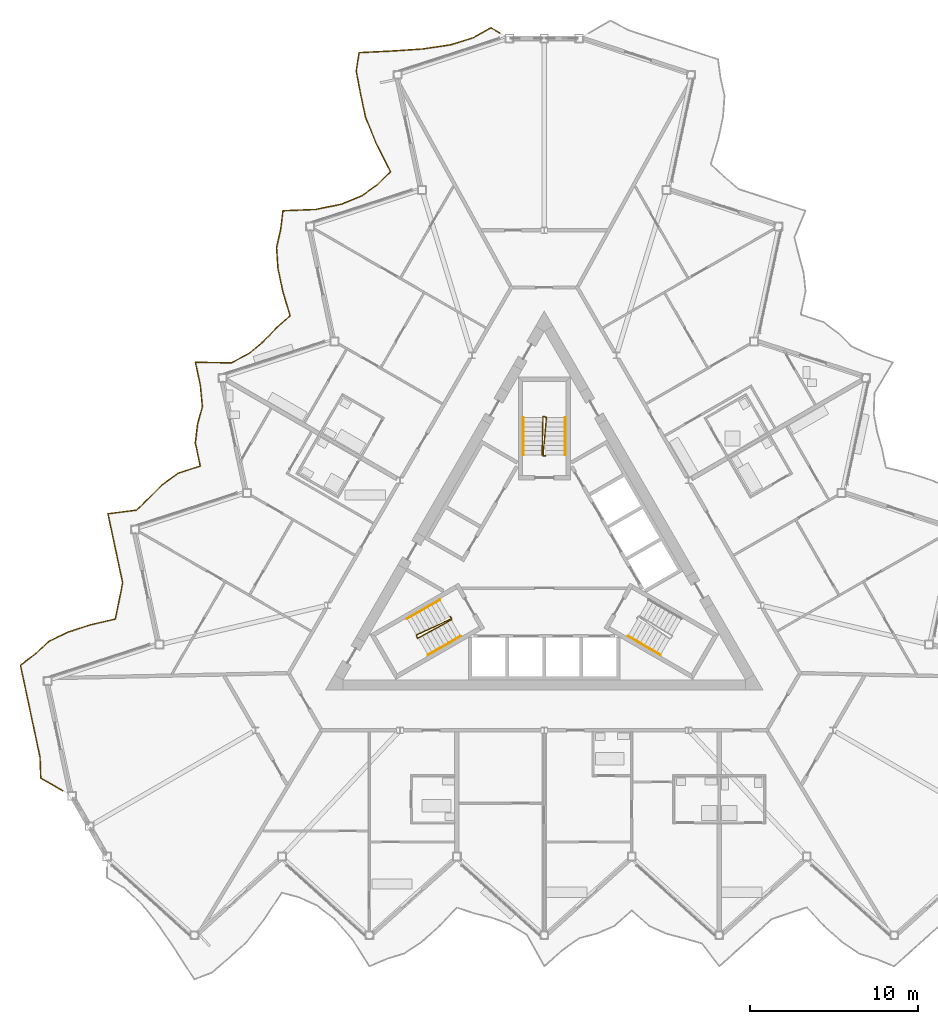
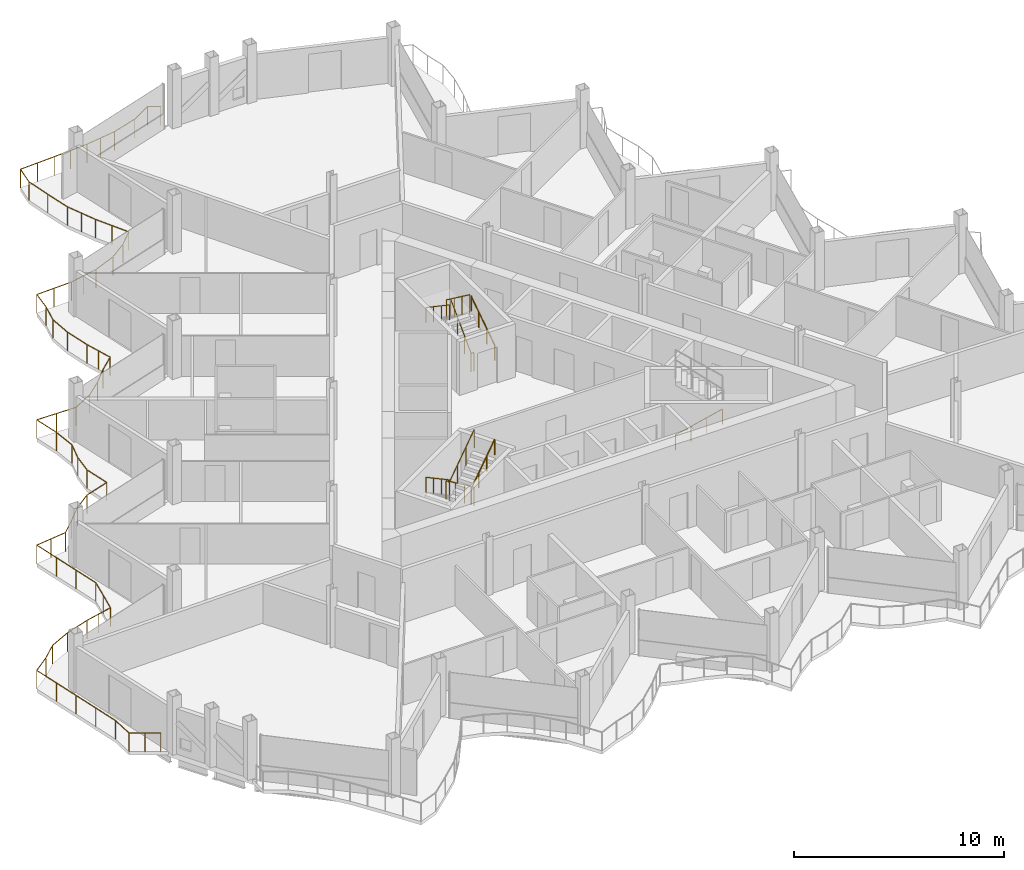
# One storey, part 22 of 25: 8 railings.
"""IFC4 building model written with IfcOpenShell, lengths in metres."""

from ifc_helpers import new_model, si_unit, direction, frame, origin, origin_2d, place, context, subcontext, project, spatial, circle, extrude, material, type_object, element, save


model = new_model("IFC4")

# Units and contexts
model_context = context("Model", 3, precision=1e-05, world=origin(), true_north=direction((0.0, 1.0)))
body_context = subcontext(model_context, "Body", "Model", "MODEL_VIEW")
ifc_project = project(units=[si_unit("LENGTHUNIT", "METRE"), si_unit("AREAUNIT", "SQUARE_METRE"), si_unit("VOLUMEUNIT", "CUBIC_METRE"), si_unit("PLANEANGLEUNIT", "RADIAN"), si_unit("MASSUNIT", "GRAM", prefix="KILO")], contexts=[model_context])

# Site, building, storey
site_placement = place(None, origin())
site = spatial("IfcSite", under=ifc_project, at=site_placement, CompositionType="ELEMENT")
building_placement = place(site_placement, origin())
building = spatial("IfcBuilding", under=site, at=building_placement, Name="Cormorant Prow Tower", CompositionType="ELEMENT")
storey_placement = place(building_placement, frame((0.0, 0.0, 391.60009765625)))
storey = spatial("IfcBuildingStorey", under=building, at=storey_placement, Name="L89", CompositionType="ELEMENT", Elevation=391.60009765625)

# Railings
ifc_material_1 = material(Name="Aluminium 6063-T6", Category="aluminium")
railing_type_1 = type_object("IfcRailingType", Name="Balcony guard 1100", PredefinedType="GUARDRAIL", material=ifc_material_1)
railing_1_placement = place(storey_placement, frame((-2.627197265625, 31.5390625, 0.0)))
element("IfcRailing", 1, at=railing_1_placement, inside=storey, type_object=railing_type_1, Name="Balcony guard WNW", PredefinedType="GUARDRAIL", context=body_context, shape_type="SweptSolid", body=[
    extrude(circle(Radius=0.02392578125, at=origin_2d()), frame((0.0, 0.0, 1.076171875), z_axis=(-0.865942655036, 0.500143297656, 0.0), x_axis=(-0.500143297656, -0.865942655036, 0.0)), (0.0, 0.0, 1.0), 0.635986328125),
    extrude(circle(Radius=0.02392578125, at=origin_2d()), frame((-0.55078125, 0.318115234375, 1.076171875), z_axis=(-0.867580618744, -0.497296561399, 0.0), x_axis=(0.497296561399, -0.867580618744, 0.0)), (0.0, 0.0, 1.0), 1.203369140625),
    extrude(circle(Radius=0.02392578125, at=origin_2d()), frame((-1.5947265625, -0.2802734375, 1.076171875), z_axis=(-0.955252285549, -0.295792276697, 0.0), x_axis=(0.295792276697, -0.955252285549, 0.0)), (0.0, 0.0, 1.0), 1.417236328125),
    extrude(circle(Radius=0.02392578125, at=origin_2d()), frame((-2.948486328125, -0.699462890625, 1.076171875), z_axis=(-0.989322080708, -0.145745739645, 0.0), x_axis=(0.145745739645, -0.989322080708, 0.0)), (0.0, 0.0, 1.0), 1.675048828125),
    extrude(circle(Radius=0.02392578125, at=origin_2d()), frame((-4.605712890625, -0.943603515625, 1.076171875), z_axis=(-0.997777056022, -0.066640426738, 0.0), x_axis=(0.066640426738, -0.997777056022, 0.0)), (0.0, 0.0, 1.0), 1.868408203125),
    extrude(circle(Radius=0.02392578125, at=origin_2d()), frame((-6.469970703125, -1.068115234375, 1.076171875), z_axis=(-0.998752974006, -0.049924912753, 0.0), x_axis=(0.049924912753, -0.998752974006, 0.0)), (0.0, 0.0, 1.0), 1.9169921875),
    extrude(circle(Radius=0.02392578125, at=origin_2d()), frame((-8.384521484375, -1.163818359375, 1.076171875), z_axis=(-0.153027715163, -0.988221897345, 0.0), x_axis=(0.988221897345, -0.153027715163, 0.0)), (0.0, 0.0, 1.0), 1.115234375),
    extrude(circle(Radius=0.02392578125, at=origin_2d()), frame((-8.55517578125, -2.265869140625, 1.076171875), z_axis=(0.186842519377, -0.982389878283, 0.0), x_axis=(0.982389878283, 0.186842519377, 0.0)), (0.0, 0.0, 1.0), 1.373291015625),
    extrude(circle(Radius=0.02392578125, at=origin_2d()), frame((-8.298583984375, -3.614990234375, 1.076171875), z_axis=(0.20777738218, -0.978176139279, 0.0), x_axis=(0.978176139279, 0.20777738218, 0.0)), (0.0, 0.0, 1.0), 1.3994140625),
    extrude(circle(Radius=0.02392578125, at=origin_2d()), frame((-8.0078125, -4.98388671875, 1.076171875), z_axis=(0.374701964674, -0.927145316371, 0.0), x_axis=(0.927145316371, 0.374701964674, 0.0)), (0.0, 0.0, 1.0), 1.689453125),
    extrude(circle(Radius=0.02392578125, at=origin_2d()), frame((-7.374755859375, -6.55029296875, 1.076171875), z_axis=(0.45075854603, -0.892645917025, 0.0), x_axis=(0.892645917025, 0.45075854603, 0.0)), (0.0, 0.0, 1.0), 1.89892578125),
    extrude(circle(Radius=0.02392578125, at=origin_2d()), frame((-6.518798828125, -8.245361328125, 1.076171875), z_axis=(-0.70993268752, -0.704269535896, 0.0), x_axis=(0.704269535896, -0.70993268752, 0.0)), (0.0, 0.0, 1.0), 1.077880859375),
    extrude(circle(Radius=0.02392578125, at=origin_2d()), frame((-7.283935546875, -9.00439453125, 1.076171875), z_axis=(-0.814468690865, -0.580207507363, 0.0), x_axis=(0.580207507363, -0.814468690865, 0.0)), (0.0, 0.0, 1.0), 1.143310546875),
    extrude(circle(Radius=0.02392578125, at=origin_2d()), frame((-8.215087890625, -9.667724609375, 1.076171875), z_axis=(-0.924870445387, -0.380282341491, 0.0), x_axis=(0.380282341491, -0.924870445387, 0.0)), (0.0, 0.0, 1.0), 1.3134765625),
    extrude(circle(Radius=0.02392578125, at=origin_2d()), frame((-9.429931640625, -10.167236328125, 1.076171875), z_axis=(-0.979411705303, -0.201873008388, 0.0), x_axis=(0.201873008388, -0.979411705303, 0.0)), (0.0, 0.0, 1.0), 1.56494140625),
    extrude(circle(Radius=0.02392578125, at=origin_2d()), frame((-10.962646484375, -10.483154296875, 1.076171875), z_axis=(-0.999241818461, -0.038933125224, 0.0), x_axis=(0.038933125224, -0.999241818461, 0.0)), (0.0, 0.0, 1.0), 1.9501953125),
    extrude(circle(Radius=0.02392578125, at=origin_2d()), frame((-12.911376953125, -10.55908203125, 1.076171875), z_axis=(-0.118932433639, -0.992902349795, 0.0), x_axis=(0.992902349795, -0.118932433639, 0.0)), (0.0, 0.0, 1.0), 1.131103515625),
    extrude(circle(Radius=0.02392578125, at=origin_2d()), frame((-13.0458984375, -11.68212890625, 1.076171875), z_axis=(-0.223695904848, -0.974658987623, 0.0), x_axis=(0.974658987623, -0.223695904848, 0.0)), (0.0, 0.0, 1.0), 1.088134765625),
    extrude(circle(Radius=0.02392578125, at=origin_2d()), frame((-13.289306640625, -12.74267578125, 1.076171875), z_axis=(0.065210154298, -0.997871552744, 0.0), x_axis=(0.997871552744, 0.065210154298, 0.0)), (0.0, 0.0, 1.0), 1.25048828125),
    extrude(circle(Radius=0.02392578125, at=origin_2d()), frame((-13.207763671875, -13.990478515625, 1.076171875), z_axis=(0.207944297815, -0.978140669335, 0.0), x_axis=(0.978140669335, 0.207944297815, 0.0)), (0.0, 0.0, 1.0), 1.3994140625),
    extrude(circle(Radius=0.02392578125, at=origin_2d()), frame((-12.916748046875, -15.359375, 1.076171875), z_axis=(0.285274769727, -0.958445776117, 0.0), x_axis=(0.958445776117, 0.285274769727, 0.0)), (0.0, 0.0, 1.0), 1.51318359375),
    extrude(circle(Radius=0.02392578125, at=origin_2d()), frame((-12.485107421875, -16.8095703125, 1.076171875), z_axis=(-0.747851627765, -0.66386590728, 0.0), x_axis=(0.66386590728, -0.747851627765, 0.0)), (0.0, 0.0, 1.0), 1.095947265625),
    extrude(circle(Radius=0.02392578125, at=origin_2d()), frame((-13.3046875, -17.537109375, 1.076171875), z_axis=(-0.694118707178, -0.719860556181, 0.0), x_axis=(0.719860556181, -0.694118707178, 0.0)), (0.0, 0.0, 1.0), 1.07177734375),
    extrude(circle(Radius=0.02392578125, at=origin_2d()), frame((-14.048583984375, -18.30859375, 1.076171875), z_axis=(-0.761748334481, -0.647873039195, 0.0), x_axis=(0.647873039195, -0.761748334481, 0.0)), (0.0, 0.0, 1.0), 1.10400390625),
    extrude(circle(Radius=0.02392578125, at=origin_2d()), frame((-14.8896484375, -19.02392578125, 1.076171875), z_axis=(-0.882788053119, -0.469771490482, 0.0), x_axis=(0.469771490482, -0.882788053119, 0.0)), (0.0, 0.0, 1.0), 1.22607421875),
    extrude(circle(Radius=0.02392578125, at=origin_2d()), frame((-15.971923828125, -19.599853515625, 1.076171875), z_axis=(-0.999872403922, 0.015974225328, 0.0), x_axis=(-0.015974225328, -0.999872403922, 0.0)), (0.0, 0.0, 1.0), 2.1396484375),
    extrude(circle(Radius=0.02392578125, at=origin_2d()), frame((-18.111328125, -19.565673828125, 1.076171875), z_axis=(0.207944297815, -0.978140669335, 0.0), x_axis=(0.978140669335, 0.207944297815, 0.0)), (0.0, 0.0, 1.0), 1.3994140625),
    extrude(circle(Radius=0.02392578125, at=origin_2d()), frame((-17.8203125, -20.9345703125, 1.076171875), z_axis=(0.095566726769, -0.995423026022, 0.0), x_axis=(0.995423026022, 0.095566726769, 0.0)), (0.0, 0.0, 1.0), 1.27734375),
    extrude(circle(Radius=0.02392578125, at=origin_2d()), frame((-17.6982421875, -22.2060546875, 1.076171875), z_axis=(-0.265827069275, -0.964020730711, 0.0), x_axis=(0.964020730711, -0.265827069275, 0.0)), (0.0, 0.0, 1.0), 1.074462890625),
    extrude(circle(Radius=0.02392578125, at=origin_2d()), frame((-17.98388671875, -23.241943359375, 1.076171875), z_axis=(-0.11731670718, -0.993094552506, 0.0), x_axis=(0.993094552506, -0.11731670718, 0.0)), (0.0, 0.0, 1.0), 1.132080078125),
    extrude(circle(Radius=0.02392578125, at=origin_2d()), frame((-18.11669921875, -24.3662109375, 1.076171875), z_axis=(0.207979786632, -0.978133124044, 0.0), x_axis=(0.978133124044, 0.207979786632, 0.0)), (0.0, 0.0, 1.0), 1.399169921875),
    extrude(circle(Radius=0.02392578125, at=origin_2d()), frame((-17.82568359375, -25.73486328125, 1.076171875), z_axis=(-0.951028941009, -0.309101849499, 0.0), x_axis=(0.309101849499, -0.951028941009, 0.0)), (0.0, 0.0, 1.0), 1.399658203125),
    extrude(circle(Radius=0.02392578125, at=origin_2d()), frame((-19.15673828125, -26.16748046875, 1.076171875), z_axis=(-0.8082904718, -0.588783927428, 0.0), x_axis=(0.588783927428, -0.8082904718, 0.0)), (0.0, 0.0, 1.0), 1.1376953125),
    extrude(circle(Radius=0.02392578125, at=origin_2d()), frame((-20.076416015625, -26.83740234375, 1.076171875), z_axis=(-0.702777909554, -0.711409312451, 0.0), x_axis=(0.711409312451, -0.702777909554, 0.0)), (0.0, 0.0, 1.0), 1.074951171875),
    extrude(circle(Radius=0.02392578125, at=origin_2d()), frame((-20.831787109375, -27.60205078125, 1.076171875), z_axis=(-0.719518081238, -0.694473707761, 0.0), x_axis=(0.694473707761, -0.719518081238, 0.0)), (0.0, 0.0, 1.0), 1.08203125),
    extrude(circle(Radius=0.02392578125, at=origin_2d()), frame((-21.6103515625, -28.353515625, 1.076171875), z_axis=(-0.991833717646, -0.127537745553, 0.0), x_axis=(0.127537745553, -0.991833717646, 0.0)), (0.0, 0.0, 1.0), 1.715087890625),
    extrude(circle(Radius=0.02392578125, at=origin_2d()), frame((-23.3115234375, -28.572265625, 1.076171875), z_axis=(0.207944297815, -0.978140669335, 0.0), x_axis=(0.978140669335, 0.207944297815, 0.0)), (0.0, 0.0, 1.0), 1.3994140625),
    extrude(circle(Radius=0.02392578125, at=origin_2d()), frame((-23.0205078125, -29.941162109375, 1.076171875), z_axis=(0.207944297815, -0.978140669335, 0.0), x_axis=(0.978140669335, 0.207944297815, 0.0)), (0.0, 0.0, 1.0), 1.3994140625),
    extrude(circle(Radius=0.02392578125, at=origin_2d()), frame((-22.7294921875, -31.31005859375, 1.076171875), z_axis=(0.207944297815, -0.978140669335, 0.0), x_axis=(0.978140669335, 0.207944297815, 0.0)), (0.0, 0.0, 1.0), 1.3994140625),
    extrude(circle(Radius=0.02392578125, at=origin_2d()), frame((-22.4384765625, -32.678955078125, 1.076171875), z_axis=(-0.193723064717, -0.981056254349, 0.0), x_axis=(0.981056254349, -0.193723064717, 0.0)), (0.0, 0.0, 1.0), 1.098876953125),
    extrude(circle(Radius=0.02392578125, at=origin_2d()), frame((-22.6513671875, -33.757080078125, 1.076171875), z_axis=(-0.204559970055, -0.978854033373, 0.0), x_axis=(0.978854033373, -0.204559970055, 0.0)), (0.0, 0.0, 1.0), 1.094482421875),
    extrude(circle(Radius=0.02392578125, at=origin_2d()), frame((-22.875244140625, -34.828369140625, 1.076171875), z_axis=(-0.973836474396, -0.227249908989, 0.0), x_axis=(0.227249908989, -0.973836474396, 0.0)), (0.0, 0.0, 1.0), 1.521240234375),
    extrude(circle(Radius=0.02392578125, at=origin_2d()), frame((-24.356689453125, -35.174072265625, 1.076171875), z_axis=(-0.951080208938, -0.308944066403, 0.0), x_axis=(0.308944066403, -0.951080208938, 0.0)), (0.0, 0.0, 1.0), 1.3994140625),
    extrude(circle(Radius=0.02392578125, at=origin_2d()), frame((-25.687744140625, -35.6064453125, 1.076171875), z_axis=(-0.900289356224, -0.435291942345, 0.0), x_axis=(0.435291942345, -0.900289356224, 0.0)), (0.0, 0.0, 1.0), 1.257568359375),
    extrude(circle(Radius=0.02392578125, at=origin_2d()), frame((-26.81982421875, -36.15380859375, 1.076171875), z_axis=(-0.734356392461, -0.678764089247, 0.0), x_axis=(0.678764089247, -0.734356392461, 0.0)), (0.0, 0.0, 1.0), 1.089111328125),
    extrude(circle(Radius=0.02392578125, at=origin_2d()), frame((-27.61962890625, -36.89306640625, 1.076171875), z_axis=(-0.792728850952, -0.609574416185, 0.0), x_axis=(0.609574416185, -0.792728850952, 0.0)), (0.0, 0.0, 1.0), 1.125),
    extrude(circle(Radius=0.02392578125, at=origin_2d()), frame((-28.511474609375, -37.578857421875, 1.076171875), z_axis=(0.207944297815, -0.978140669335, 0.0), x_axis=(0.978140669335, 0.207944297815, 0.0)), (0.0, 0.0, 1.0), 1.3994140625),
    extrude(circle(Radius=0.02392578125, at=origin_2d()), frame((-28.220458984375, -38.94775390625, 1.076171875), z_axis=(0.207944297815, -0.978140669335, 0.0), x_axis=(0.978140669335, 0.207944297815, 0.0)), (0.0, 0.0, 1.0), 1.3994140625),
    extrude(circle(Radius=0.02392578125, at=origin_2d()), frame((-27.929443359375, -40.316650390625, 1.076171875), z_axis=(0.207944297815, -0.978140669335, 0.0), x_axis=(0.978140669335, 0.207944297815, 0.0)), (0.0, 0.0, 1.0), 1.3994140625),
    extrude(circle(Radius=0.02392578125, at=origin_2d()), frame((-27.638427734375, -41.685546875, 1.076171875), z_axis=(0.20777738218, -0.978176139279, 0.0), x_axis=(0.978176139279, 0.20777738218, 0.0)), (0.0, 0.0, 1.0), 1.3994140625),
    extrude(circle(Radius=0.02392578125, at=origin_2d()), frame((-27.34765625, -43.054443359375, 1.076171875), z_axis=(0.034839394762, -0.999392924016, 0.0), x_axis=(0.999392924016, 0.034839394762, 0.0)), (0.0, 0.0, 1.0), 1.226318359375),
    extrude(circle(Radius=0.02392578125, at=origin_2d()), frame((-27.304931640625, -44.280029296875, 1.076171875), z_axis=(0.866020997002, -0.500007632694, 0.0), x_axis=(0.500007632694, 0.866020997002, 0.0)), (0.0, 0.0, 1.0), 1.5068359375),
    extrude(circle(Radius=0.02099609375, at=origin_2d()), origin(), (0.0, 0.0, 1.0), 1.052001953125),
    extrude(circle(Radius=0.02099609375, at=origin_2d()), frame((-0.55078125, 0.318115234375, 0.0)), (0.0, 0.0, 1.0), 1.052001953125),
    extrude(circle(Radius=0.02099609375, at=origin_2d()), frame((-1.5947265625, -0.2802734375, 0.0)), (0.0, 0.0, 1.0), 1.052001953125),
    extrude(circle(Radius=0.02099609375, at=origin_2d()), frame((-2.948486328125, -0.699462890625, 0.0)), (0.0, 0.0, 1.0), 1.052001953125),
    extrude(circle(Radius=0.02099609375, at=origin_2d()), frame((-3.777099609375, -0.821533203125, 0.0)), (0.0, 0.0, 1.0), 1.052001953125),
    extrude(circle(Radius=0.02099609375, at=origin_2d()), frame((-4.605712890625, -0.943603515625, 0.0)), (0.0, 0.0, 1.0), 1.052001953125),
    extrude(circle(Radius=0.02099609375, at=origin_2d()), frame((-5.537841796875, -1.005859375, 0.0)), (0.0, 0.0, 1.0), 1.052001953125),
    extrude(circle(Radius=0.02099609375, at=origin_2d()), frame((-6.469970703125, -1.068115234375, 0.0)), (0.0, 0.0, 1.0), 1.052001953125),
    extrude(circle(Radius=0.02099609375, at=origin_2d()), frame((-7.42724609375, -1.115966796875, 0.0)), (0.0, 0.0, 1.0), 1.052001953125),
    extrude(circle(Radius=0.02099609375, at=origin_2d()), frame((-8.384521484375, -1.163818359375, 0.0)), (0.0, 0.0, 1.0), 1.052001953125),
    extrude(circle(Radius=0.02099609375, at=origin_2d()), frame((-8.55517578125, -2.265869140625, 0.0)), (0.0, 0.0, 1.0), 1.052001953125),
    extrude(circle(Radius=0.02099609375, at=origin_2d()), frame((-8.298583984375, -3.614990234375, 0.0)), (0.0, 0.0, 1.0), 1.052001953125),
    extrude(circle(Radius=0.02099609375, at=origin_2d()), frame((-8.0078125, -4.98388671875, 0.0)), (0.0, 0.0, 1.0), 1.052001953125),
    extrude(circle(Radius=0.02099609375, at=origin_2d()), frame((-7.69140625, -5.76708984375, 0.0)), (0.0, 0.0, 1.0), 1.052001953125),
    extrude(circle(Radius=0.02099609375, at=origin_2d()), frame((-7.374755859375, -6.55029296875, 0.0)), (0.0, 0.0, 1.0), 1.052001953125),
    extrude(circle(Radius=0.02099609375, at=origin_2d()), frame((-6.94677734375, -7.39794921875, 0.0)), (0.0, 0.0, 1.0), 1.052001953125),
    extrude(circle(Radius=0.02099609375, at=origin_2d()), frame((-6.518798828125, -8.245361328125, 0.0)), (0.0, 0.0, 1.0), 1.052001953125),
    extrude(circle(Radius=0.02099609375, at=origin_2d()), frame((-7.283935546875, -9.00439453125, 0.0)), (0.0, 0.0, 1.0), 1.052001953125),
    extrude(circle(Radius=0.02099609375, at=origin_2d()), frame((-8.215087890625, -9.667724609375, 0.0)), (0.0, 0.0, 1.0), 1.052001953125),
    extrude(circle(Radius=0.02099609375, at=origin_2d()), frame((-9.429931640625, -10.167236328125, 0.0)), (0.0, 0.0, 1.0), 1.052001953125),
    extrude(circle(Radius=0.02099609375, at=origin_2d()), frame((-10.1962890625, -10.3251953125, 0.0)), (0.0, 0.0, 1.0), 1.052001953125),
    extrude(circle(Radius=0.02099609375, at=origin_2d()), frame((-10.962646484375, -10.483154296875, 0.0)), (0.0, 0.0, 1.0), 1.052001953125),
    extrude(circle(Radius=0.02099609375, at=origin_2d()), frame((-11.93701171875, -10.52099609375, 0.0)), (0.0, 0.0, 1.0), 1.052001953125),
    extrude(circle(Radius=0.02099609375, at=origin_2d()), frame((-12.911376953125, -10.55908203125, 0.0)), (0.0, 0.0, 1.0), 1.052001953125),
    extrude(circle(Radius=0.02099609375, at=origin_2d()), frame((-13.0458984375, -11.68212890625, 0.0)), (0.0, 0.0, 1.0), 1.052001953125),
    extrude(circle(Radius=0.02099609375, at=origin_2d()), frame((-13.289306640625, -12.74267578125, 0.0)), (0.0, 0.0, 1.0), 1.052001953125),
    extrude(circle(Radius=0.02099609375, at=origin_2d()), frame((-13.207763671875, -13.990478515625, 0.0)), (0.0, 0.0, 1.0), 1.052001953125),
    extrude(circle(Radius=0.02099609375, at=origin_2d()), frame((-12.916748046875, -15.359375, 0.0)), (0.0, 0.0, 1.0), 1.052001953125),
    extrude(circle(Radius=0.02099609375, at=origin_2d()), frame((-12.700927734375, -16.08447265625, 0.0)), (0.0, 0.0, 1.0), 1.052001953125),
    extrude(circle(Radius=0.02099609375, at=origin_2d()), frame((-12.485107421875, -16.8095703125, 0.0)), (0.0, 0.0, 1.0), 1.052001953125),
    extrude(circle(Radius=0.02099609375, at=origin_2d()), frame((-13.3046875, -17.537109375, 0.0)), (0.0, 0.0, 1.0), 1.052001953125),
    extrude(circle(Radius=0.02099609375, at=origin_2d()), frame((-14.048583984375, -18.30859375, 0.0)), (0.0, 0.0, 1.0), 1.052001953125),
    extrude(circle(Radius=0.02099609375, at=origin_2d()), frame((-14.8896484375, -19.02392578125, 0.0)), (0.0, 0.0, 1.0), 1.052001953125),
    extrude(circle(Radius=0.02099609375, at=origin_2d()), frame((-15.971923828125, -19.599853515625, 0.0)), (0.0, 0.0, 1.0), 1.052001953125),
    extrude(circle(Radius=0.02099609375, at=origin_2d()), frame((-17.04150390625, -19.582763671875, 0.0)), (0.0, 0.0, 1.0), 1.052001953125),
    extrude(circle(Radius=0.02099609375, at=origin_2d()), frame((-18.111328125, -19.565673828125, 0.0)), (0.0, 0.0, 1.0), 1.052001953125),
    extrude(circle(Radius=0.02099609375, at=origin_2d()), frame((-17.8203125, -20.9345703125, 0.0)), (0.0, 0.0, 1.0), 1.052001953125),
    extrude(circle(Radius=0.02099609375, at=origin_2d()), frame((-17.6982421875, -22.2060546875, 0.0)), (0.0, 0.0, 1.0), 1.052001953125),
    extrude(circle(Radius=0.02099609375, at=origin_2d()), frame((-17.98388671875, -23.241943359375, 0.0)), (0.0, 0.0, 1.0), 1.052001953125),
    extrude(circle(Radius=0.02099609375, at=origin_2d()), frame((-18.11669921875, -24.3662109375, 0.0)), (0.0, 0.0, 1.0), 1.052001953125),
    extrude(circle(Radius=0.02099609375, at=origin_2d()), frame((-17.82568359375, -25.73486328125, 0.0)), (0.0, 0.0, 1.0), 1.052001953125),
    extrude(circle(Radius=0.02099609375, at=origin_2d()), frame((-19.15673828125, -26.16748046875, 0.0)), (0.0, 0.0, 1.0), 1.052001953125),
    extrude(circle(Radius=0.02099609375, at=origin_2d()), frame((-20.076416015625, -26.83740234375, 0.0)), (0.0, 0.0, 1.0), 1.052001953125),
    extrude(circle(Radius=0.02099609375, at=origin_2d()), frame((-20.831787109375, -27.60205078125, 0.0)), (0.0, 0.0, 1.0), 1.052001953125),
    extrude(circle(Radius=0.02099609375, at=origin_2d()), frame((-21.6103515625, -28.353515625, 0.0)), (0.0, 0.0, 1.0), 1.052001953125),
    extrude(circle(Radius=0.02099609375, at=origin_2d()), frame((-22.4609375, -28.462890625, 0.0)), (0.0, 0.0, 1.0), 1.052001953125),
    extrude(circle(Radius=0.02099609375, at=origin_2d()), frame((-23.3115234375, -28.572265625, 0.0)), (0.0, 0.0, 1.0), 1.052001953125),
    extrude(circle(Radius=0.02099609375, at=origin_2d()), frame((-23.0205078125, -29.941162109375, 0.0)), (0.0, 0.0, 1.0), 1.052001953125),
    extrude(circle(Radius=0.02099609375, at=origin_2d()), frame((-22.7294921875, -31.31005859375, 0.0)), (0.0, 0.0, 1.0), 1.052001953125),
    extrude(circle(Radius=0.02099609375, at=origin_2d()), frame((-22.4384765625, -32.678955078125, 0.0)), (0.0, 0.0, 1.0), 1.052001953125),
    extrude(circle(Radius=0.02099609375, at=origin_2d()), frame((-22.6513671875, -33.757080078125, 0.0)), (0.0, 0.0, 1.0), 1.052001953125),
    extrude(circle(Radius=0.02099609375, at=origin_2d()), frame((-22.875244140625, -34.828369140625, 0.0)), (0.0, 0.0, 1.0), 1.052001953125),
    extrude(circle(Radius=0.02099609375, at=origin_2d()), frame((-23.615966796875, -35.001220703125, 0.0)), (0.0, 0.0, 1.0), 1.052001953125),
    extrude(circle(Radius=0.02099609375, at=origin_2d()), frame((-24.356689453125, -35.174072265625, 0.0)), (0.0, 0.0, 1.0), 1.052001953125),
    extrude(circle(Radius=0.02099609375, at=origin_2d()), frame((-25.687744140625, -35.6064453125, 0.0)), (0.0, 0.0, 1.0), 1.052001953125),
    extrude(circle(Radius=0.02099609375, at=origin_2d()), frame((-26.81982421875, -36.15380859375, 0.0)), (0.0, 0.0, 1.0), 1.052001953125),
    extrude(circle(Radius=0.02099609375, at=origin_2d()), frame((-27.61962890625, -36.89306640625, 0.0)), (0.0, 0.0, 1.0), 1.052001953125),
    extrude(circle(Radius=0.02099609375, at=origin_2d()), frame((-28.511474609375, -37.578857421875, 0.0)), (0.0, 0.0, 1.0), 1.052001953125),
    extrude(circle(Radius=0.02099609375, at=origin_2d()), frame((-28.220458984375, -38.94775390625, 0.0)), (0.0, 0.0, 1.0), 1.052001953125),
    extrude(circle(Radius=0.02099609375, at=origin_2d()), frame((-27.929443359375, -40.316650390625, 0.0)), (0.0, 0.0, 1.0), 1.052001953125),
    extrude(circle(Radius=0.02099609375, at=origin_2d()), frame((-27.638427734375, -41.685546875, 0.0)), (0.0, 0.0, 1.0), 1.052001953125),
    extrude(circle(Radius=0.02099609375, at=origin_2d()), frame((-27.34765625, -43.054443359375, 0.0)), (0.0, 0.0, 1.0), 1.052001953125),
    extrude(circle(Radius=0.02099609375, at=origin_2d()), frame((-27.304931640625, -44.280029296875, 0.0)), (0.0, 0.0, 1.0), 1.052001953125),
    extrude(circle(Radius=0.02099609375, at=origin_2d()), frame((-26.65234375, -44.65673828125, 0.0)), (0.0, 0.0, 1.0), 1.052001953125),
    extrude(circle(Radius=0.02099609375, at=origin_2d()), frame((-26.0, -45.033447265625, 0.0)), (0.0, 0.0, 1.0), 1.052001953125),
])
ifc_material_2 = material(Name="Stainless steel", Category="steel")
railing_type_2 = type_object("IfcRailingType", Name="Stair guard 1100", PredefinedType="GUARDRAIL", material=ifc_material_2)
railing_2_placement = place(storey_placement, frame((-5.585205078125, -3.137939453125, 0.0)))
element("IfcRailing", 2, at=railing_2_placement, inside=storey, type_object=railing_type_2, Name="L89 ST1 stair guard 1", PredefinedType="GUARDRAIL", context=body_context, shape_type="SweptSolid", body=[
    extrude(circle(Radius=0.02392578125, at=origin_2d()), frame((0.0, 0.0, 1.076171875), z_axis=(0.501036270542, -0.865426285481, 0.0), x_axis=(0.865426285481, 0.501036270542, 0.0)), (0.0, 0.0, 1.0), 0.150146484375),
    extrude(circle(Radius=0.02392578125, at=origin_2d()), frame((0.0751953125, -0.1298828125, 1.076171875), z_axis=(-0.728641035543, -0.339941399566, 0.594577233152), x_axis=(0.422792438952, -0.906226546491, 0.0)), (0.0, 0.0, 1.0), 2.859130859375),
    extrude(circle(Radius=0.02392578125, at=origin_2d()), frame((-2.008056640625, -1.101806640625, 2.77587890625), z_axis=(0.275034262293, -0.961434425515, 0.0), x_axis=(0.961434425515, 0.275034262293, 0.0)), (0.0, 0.0, 1.0), 0.2060546875),
    extrude(circle(Radius=0.02392578125, at=origin_2d()), frame((-1.951416015625, -1.2998046875, 2.77587890625), z_axis=(0.704058451865, 0.386179398835, 0.595959032378), x_axis=(-0.480911908544, 0.87676891837, 0.0)), (0.0, 0.0, 1.0), 2.8525390625),
    extrude(circle(Radius=0.02099609375, at=origin_2d()), origin(), (0.0, 0.0, 1.0), 1.052001953125),
    extrude(circle(Radius=0.02099609375, at=origin_2d()), frame((0.0751953125, -0.1298828125, 0.0)), (0.0, 0.0, 1.0), 1.052001953125),
    extrude(circle(Radius=0.02099609375, at=origin_2d()), frame((-0.619140625, -0.453857421875, 0.566650390625)), (0.0, 0.0, 1.0), 1.052001953125),
    extrude(circle(Radius=0.02099609375, at=origin_2d()), frame((-1.313720703125, -0.77783203125, 1.13330078125)), (0.0, 0.0, 1.0), 1.052001953125),
    extrude(circle(Radius=0.02099609375, at=origin_2d()), frame((-2.008056640625, -1.101806640625, 1.699951171875)), (0.0, 0.0, 1.0), 1.052001953125),
    extrude(circle(Radius=0.02099609375, at=origin_2d()), frame((-1.951416015625, -1.2998046875, 1.699951171875)), (0.0, 0.0, 1.0), 1.052001953125),
    extrude(circle(Radius=0.02099609375, at=origin_2d()), frame((-1.281982421875, -0.9326171875, 2.2666015625)), (0.0, 0.0, 1.0), 1.052001953125),
    extrude(circle(Radius=0.02099609375, at=origin_2d()), frame((-0.612548828125, -0.5654296875, 2.833251953125)), (0.0, 0.0, 1.0), 1.052001953125),
    extrude(circle(Radius=0.02099609375, at=origin_2d()), frame((0.056884765625, -0.1982421875, 3.39990234375)), (0.0, 0.0, 1.0), 1.052001953125),
])
railing_3_placement = place(storey_placement, frame((0.074951171875, 6.40576171875, 0.0)))
element("IfcRailing", 3, at=railing_3_placement, inside=storey, type_object=railing_type_2, Name="L89 ST3 stair guard 1", PredefinedType="GUARDRAIL", context=body_context, shape_type="SweptSolid", body=[
    extrude(circle(Radius=0.02392578125, at=origin_2d()), frame((0.0, 0.0, 1.076171875), z_axis=(-1.0, 0.0, 0.0), x_axis=(0.0, -1.0, 0.0)), (0.0, 0.0, 1.0), 0.14990234375),
    extrude(circle(Radius=0.02392578125, at=origin_2d()), frame((-0.14990234375, 0.0, 1.076171875), z_axis=(0.069936542308, 0.800982621307, 0.594588698525), x_axis=(-0.996209839609, 0.086982500921, 0.0)), (0.0, 0.0, 1.0), 2.859130859375),
    extrude(circle(Radius=0.02392578125, at=origin_2d()), frame((0.050048828125, 2.2900390625, 2.77587890625), z_axis=(-0.970072785993, 0.242814311512, 0.0), x_axis=(-0.242814311512, -0.970072785993, 0.0)), (0.0, 0.0, 1.0), 0.2060546875),
    extrude(circle(Radius=0.02392578125, at=origin_2d()), frame((-0.14990234375, 2.340087890625, 2.77587890625), z_axis=(-0.017545750742, -0.80282508275, 0.595956402045), x_axis=(0.999761264773, -0.0218497931, 0.0)), (0.0, 0.0, 1.0), 2.8525390625),
    extrude(circle(Radius=0.02099609375, at=origin_2d()), origin(), (0.0, 0.0, 1.0), 1.052001953125),
    extrude(circle(Radius=0.02099609375, at=origin_2d()), frame((-0.14990234375, 0.0, 0.0)), (0.0, 0.0, 1.0), 1.052001953125),
    extrude(circle(Radius=0.02099609375, at=origin_2d()), frame((-0.083251953125, 0.763427734375, 0.566650390625)), (0.0, 0.0, 1.0), 1.052001953125),
    extrude(circle(Radius=0.02099609375, at=origin_2d()), frame((-0.0166015625, 1.526611328125, 1.13330078125)), (0.0, 0.0, 1.0), 1.052001953125),
    extrude(circle(Radius=0.02099609375, at=origin_2d()), frame((0.050048828125, 2.2900390625, 1.699951171875)), (0.0, 0.0, 1.0), 1.052001953125),
    extrude(circle(Radius=0.02099609375, at=origin_2d()), frame((-0.14990234375, 2.340087890625, 1.699951171875)), (0.0, 0.0, 1.0), 1.052001953125),
    extrude(circle(Radius=0.02099609375, at=origin_2d()), frame((-0.16650390625, 1.57666015625, 2.2666015625)), (0.0, 0.0, 1.0), 1.052001953125),
    extrude(circle(Radius=0.02099609375, at=origin_2d()), frame((-0.183349609375, 0.8134765625, 2.833251953125)), (0.0, 0.0, 1.0), 1.052001953125),
    extrude(circle(Radius=0.02099609375, at=origin_2d()), frame((-0.199951171875, 0.050048828125, 3.39990234375)), (0.0, 0.0, 1.0), 1.052001953125),
])
ifc_material_3 = material(Name="Stainless steel", Category="steel")
railing_type_3 = type_object("IfcRailingType", Name="Stair handrail 900", PredefinedType="HANDRAIL", material=ifc_material_3)
railing_4_placement = place(storey_placement, frame((-6.212890625, -2.150634765625, 0.188720703125)))
element("IfcRailing", 4, at=railing_4_placement, inside=storey, type_object=railing_type_3, Name="L89 ST1 stair handrail 1", PredefinedType="HANDRAIL", context=body_context, shape_type="SweptSolid", body=[
    extrude(circle(Radius=0.02392578125, at=origin_2d()), frame((0.0, 0.0, 0.8759765625), z_axis=(-0.717940317343, -0.414446543626, 0.55928147047), x_axis=(0.49994888933, -0.866054910533, 0.0)), (0.0, 0.0, 1.0), 2.7021484375),
    extrude(circle(Radius=0.02099609375, at=origin_2d()), origin(), (0.0, 0.0, 1.0), 0.851806640625),
    extrude(circle(Radius=0.02099609375, at=origin_2d()), frame((-0.646728515625, -0.373291015625, 0.503662109375)), (0.0, 0.0, 1.0), 0.851806640625),
    extrude(circle(Radius=0.02099609375, at=origin_2d()), frame((-1.293212890625, -0.74658203125, 1.007568359375)), (0.0, 0.0, 1.0), 0.851806640625),
    extrude(circle(Radius=0.02099609375, at=origin_2d()), frame((-1.93994140625, -1.119873046875, 1.51123046875)), (0.0, 0.0, 1.0), 0.851806640625),
])
railing_5_placement = place(storey_placement, frame((-6.90869140625, -5.42529296875, 1.888671875)))
element("IfcRailing", 5, at=railing_5_placement, inside=storey, type_object=railing_type_3, Name="L89 ST1 stair handrail 2", PredefinedType="HANDRAIL", context=body_context, shape_type="SweptSolid", body=[
    extrude(circle(Radius=0.02392578125, at=origin_2d()), frame((0.0, 0.0, 0.8759765625), z_axis=(0.717869644322, 0.414548260308, 0.559296802813), x_axis=(-0.500077830873, 0.865980463445, 0.0)), (0.0, 0.0, 1.0), 2.701904296875),
    extrude(circle(Radius=0.02099609375, at=origin_2d()), origin(), (0.0, 0.0, 1.0), 0.851806640625),
    extrude(circle(Radius=0.02099609375, at=origin_2d()), frame((0.646484375, 0.373291015625, 0.503662109375)), (0.0, 0.0, 1.0), 0.851806640625),
    extrude(circle(Radius=0.02099609375, at=origin_2d()), frame((1.293212890625, 0.746826171875, 1.007568359375)), (0.0, 0.0, 1.0), 0.851806640625),
    extrude(circle(Radius=0.02099609375, at=origin_2d()), frame((1.939697265625, 1.1201171875, 1.51123046875)), (0.0, 0.0, 1.0), 0.851806640625),
])
railing_6_placement = place(storey_placement, frame((4.968994140625, -4.30517578125, 0.188720703125)))
element("IfcRailing", 6, at=railing_6_placement, inside=storey, type_object=railing_type_3, Name="L89 ST2 stair handrail 1", PredefinedType="HANDRAIL", context=body_context, shape_type="SweptSolid", body=[
    extrude(circle(Radius=0.02392578125, at=origin_2d()), frame((0.0, 0.0, 0.8759765625), z_axis=(0.717869644322, -0.414548260308, 0.559296802813), x_axis=(0.500077830873, 0.865980463445, 0.0)), (0.0, 0.0, 1.0), 2.701904296875),
    extrude(circle(Radius=0.02099609375, at=origin_2d()), origin(), (0.0, 0.0, 1.0), 0.851806640625),
    extrude(circle(Radius=0.02099609375, at=origin_2d()), frame((0.646484375, -0.373291015625, 0.503662109375)), (0.0, 0.0, 1.0), 0.851806640625),
    extrude(circle(Radius=0.02099609375, at=origin_2d()), frame((1.293212890625, -0.746826171875, 1.007568359375)), (0.0, 0.0, 1.0), 0.851806640625),
    extrude(circle(Radius=0.02099609375, at=origin_2d()), frame((1.939697265625, -1.1201171875, 1.51123046875)), (0.0, 0.0, 1.0), 0.851806640625),
])
railing_7_placement = place(storey_placement, frame((1.243896484375, 6.455810546875, 0.188720703125)))
element("IfcRailing", 7, at=railing_7_placement, inside=storey, type_object=railing_type_3, Name="L89 ST3 stair handrail 1", PredefinedType="HANDRAIL", context=body_context, shape_type="SweptSolid", body=[
    extrude(circle(Radius=0.02392578125, at=origin_2d()), frame((0.0, 0.0, 0.8759765625), z_axis=(0.0, 0.828979582247, 0.559278868023), x_axis=(-1.0, 0.0, 0.0)), (0.0, 0.0, 1.0), 2.7021484375),
    extrude(circle(Radius=0.02099609375, at=origin_2d()), origin(), (0.0, 0.0, 1.0), 0.851806640625),
    extrude(circle(Radius=0.02099609375, at=origin_2d()), frame((0.0, 0.74658203125, 0.503662109375)), (0.0, 0.0, 1.0), 0.851806640625),
    extrude(circle(Radius=0.02099609375, at=origin_2d()), frame((0.0, 1.493408203125, 1.007568359375)), (0.0, 0.0, 1.0), 0.851806640625),
    extrude(circle(Radius=0.02099609375, at=origin_2d()), frame((0.0, 2.239990234375, 1.51123046875)), (0.0, 0.0, 1.0), 0.851806640625),
])
railing_8_placement = place(storey_placement, frame((-1.243896484375, 8.69580078125, 1.888671875)))
element("IfcRailing", 8, at=railing_8_placement, inside=storey, type_object=railing_type_3, Name="L89 ST3 stair handrail 2", PredefinedType="HANDRAIL", context=body_context, shape_type="SweptSolid", body=[
    extrude(circle(Radius=0.02392578125, at=origin_2d()), frame((0.0, 0.0, 0.8759765625), z_axis=(0.0, -0.828979582247, 0.559278868023), x_axis=(1.0, 0.0, 0.0)), (0.0, 0.0, 1.0), 2.7021484375),
    extrude(circle(Radius=0.02099609375, at=origin_2d()), origin(), (0.0, 0.0, 1.0), 0.851806640625),
    extrude(circle(Radius=0.02099609375, at=origin_2d()), frame((0.0, -0.74658203125, 0.503662109375)), (0.0, 0.0, 1.0), 0.851806640625),
    extrude(circle(Radius=0.02099609375, at=origin_2d()), frame((0.0, -1.493408203125, 1.007568359375)), (0.0, 0.0, 1.0), 0.851806640625),
    extrude(circle(Radius=0.02099609375, at=origin_2d()), frame((0.0, -2.239990234375, 1.51123046875)), (0.0, 0.0, 1.0), 0.851806640625),
])

save(model, "model.ifc")
